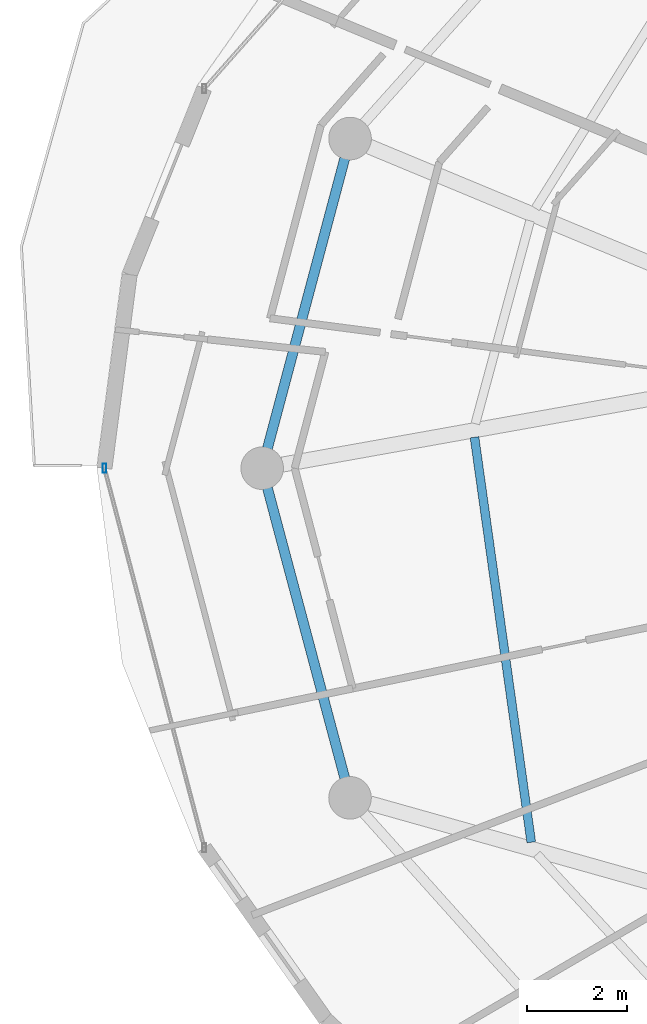
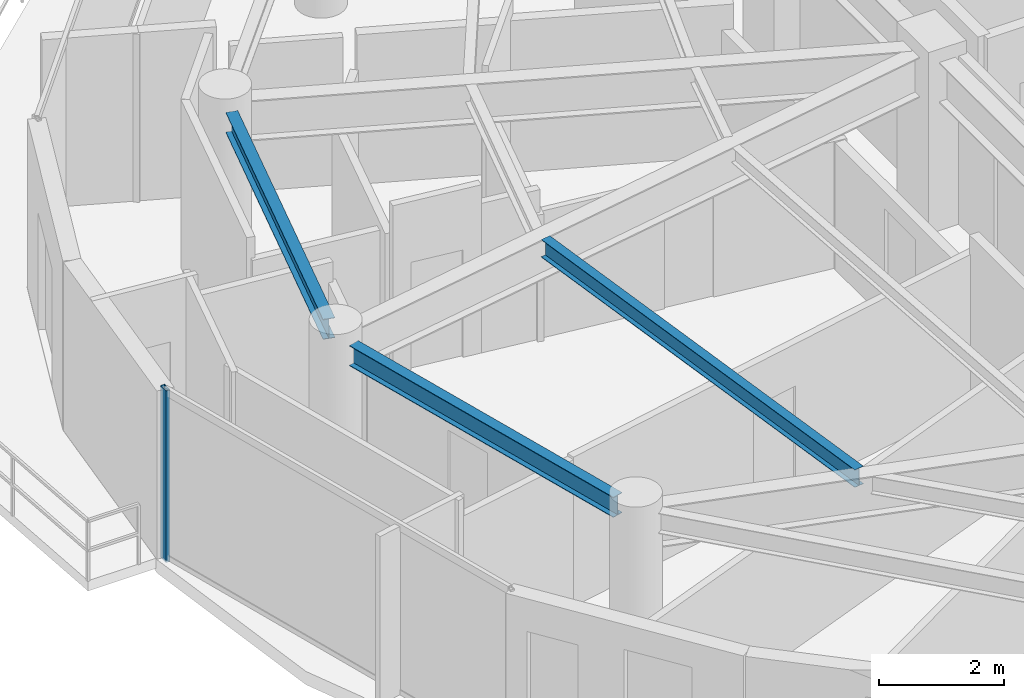
# One storey, part 6 of 30: 3 beams, 1 member, 1 element without a shape of its own.
"""IFC4 building model written with IfcOpenShell, lengths in metres."""

from ifc_helpers import new_model, si_unit, direction, frame, origin, origin_2d, place, context, subcontext, project, spatial, hollow_rectangle, i_section, extrude, material, material_profile, profile_set, type_object, element, aggregate, save


model = new_model("IFC4")

# Units and contexts
model_context = context("Model", 3, precision=1e-05, world=origin(), true_north=direction((0.0, 1.0)))
body_context = subcontext(model_context, "Body", "Model", "MODEL_VIEW")
ifc_project = project(units=[si_unit("LENGTHUNIT", "METRE"), si_unit("AREAUNIT", "SQUARE_METRE"), si_unit("VOLUMEUNIT", "CUBIC_METRE"), si_unit("PLANEANGLEUNIT", "RADIAN"), si_unit("MASSUNIT", "GRAM", prefix="KILO")], contexts=[model_context])

# Site, building, storey
site_placement = place(None, origin())
site = spatial("IfcSite", under=ifc_project, at=site_placement, CompositionType="ELEMENT")
building_placement = place(site_placement, origin())
building = spatial("IfcBuilding", under=site, at=building_placement, Name="Vorneva Point Tower", CompositionType="ELEMENT")
storey_placement = place(building_placement, frame((0.0, 0.0, 237.800048828125)))
storey = spatial("IfcBuildingStorey", under=building, at=storey_placement, Name="L64", CompositionType="ELEMENT", Elevation=237.800048828125)

# Beams
ifc_material_1 = material(Name="Steel S355", Category="steel")
ifc_material_profile_1 = material_profile(ifc_material_1, i_section(OverallWidth=0.174072265625, OverallDepth=0.345947265625, WebThickness=0.006103515625, FlangeThickness=0.009033203125, at=origin_2d()), Name="35B1")
ifc_profile_set_1 = profile_set([ifc_material_profile_1], Name="Steel S355")
beam_type_1 = type_object("IfcBeamType", Name="BM-SEC-35B1", PredefinedType="BEAM", material=ifc_profile_set_1)
beam_placement = place(storey_placement, frame((19.190185546875, 26.618408203125, 3.116943359375), z_axis=(0.138796784083, -0.990320883718, 0.0), x_axis=(0.990320883718, 0.138796784083, 0.0)))
element("IfcBeam", 1, at=beam_placement, inside=storey, type_object=beam_type_1, Name="L64 Secondary Floor Beam 1.09", PredefinedType="BEAM", context=body_context, shape_type="SweptSolid", body=[
    extrude(i_section(OverallWidth=0.174072265625, OverallDepth=0.345947265625, WebThickness=0.006103515625, FlangeThickness=0.009033203125, at=origin_2d()), origin(), (0.0, 0.0, 1.0), 8.1669921875),
])
ifc_material_profile_2 = material_profile(ifc_material_1, i_section(OverallWidth=0.198974609375, OverallDepth=0.39599609375, WebThickness=0.007080078125, FlangeThickness=0.010986328125, at=origin_2d()), Name="40B1")
ifc_profile_set_2 = profile_set([ifc_material_profile_2], Name="Steel S355")
beam_type_2 = type_object("IfcBeamType", Name="BM-SPN-40B1", PredefinedType="SPANDREL", material=ifc_profile_set_2)
for number, where, z_axis, x_axis, name in (
    (2, (16.59912109375, 32.18603515625, 3.092041015625), (-0.257586570866, -0.966255224312, 0.0), (0.966255224312, -0.257586570866, 0.0), "L64 Perimeter Spandrel Ring Beam 08"),
    (3, (15.0556640625, 25.603759765625, 3.092041015625), (0.257586570866, -0.966255224312, 0.0), (0.966255224312, 0.257586570866, 0.0), "L64 Perimeter Spandrel Ring Beam 09"),
):
    element("IfcBeam", number, at=place(storey_placement, frame(where, z_axis=z_axis, x_axis=x_axis)), inside=storey, type_object=beam_type_2, Name=name, PredefinedType="SPANDREL", context=body_context, shape_type="SweptSolid", body=[
        extrude(i_section(OverallWidth=0.198974609375, OverallDepth=0.39599609375, WebThickness=0.007080078125, FlangeThickness=0.010986328125, at=origin_2d()), origin(), (0.0, 0.0, 1.0), 5.991943359375),
    ])

# Curtain wall, member
ifc_material_2 = material(Name="Pale anodised aluminium", Category="aluminium")
curtain_wall_type = type_object("IfcCurtainWallType", Name="CW-RES-SYS", PredefinedType="NOTDEFINED", material=ifc_material_2)
curtain_wall_placement = place(storey_placement, origin())
curtain_wall = element("IfcCurtainWall", 4, at=curtain_wall_placement, inside=storey, type_object=curtain_wall_type, Name="L64 Unitised Curtain Wall CW-L64-R03", PredefinedType="NOTDEFINED")
ifc_material_profile_3 = material_profile(ifc_material_2, hollow_rectangle(XDim=0.074951171875, YDim=0.179931640625, WallThickness=0.00390625, at=origin_2d()), Name="AL-MUL 180x75x4")
ifc_profile_set_3 = profile_set([ifc_material_profile_3], Name="Pale anodised aluminium")
member_type = type_object("IfcMemberType", Name="CW-MUL-180", PredefinedType="MULLION", material=ifc_profile_set_3)
member_placement = place(storey_placement, frame((11.800048828125, 26.0, -0.0400390625), z_axis=(0.0, 0.0, 1.0), x_axis=(1.0, 0.0, 0.0)))
member = element("IfcMember", 5, at=member_placement, type_object=member_type, Name="CW-L64-R03 Mullion 01", PredefinedType="MULLION", context=body_context, shape_type="SweptSolid", body=[
    extrude(hollow_rectangle(XDim=0.074951171875, YDim=0.179931640625, WallThickness=0.00390625, at=origin_2d()), origin(), (0.0, 0.0, 1.0), 3.360107421875),
])
aggregate(curtain_wall, [member])

save(model, "model.ifc")
